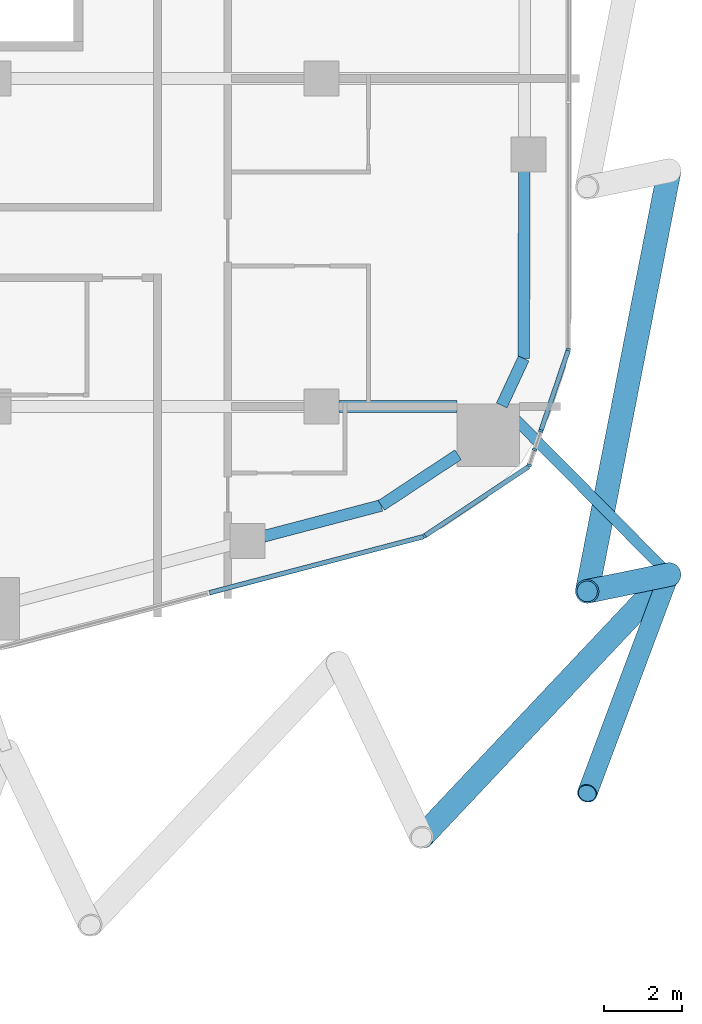
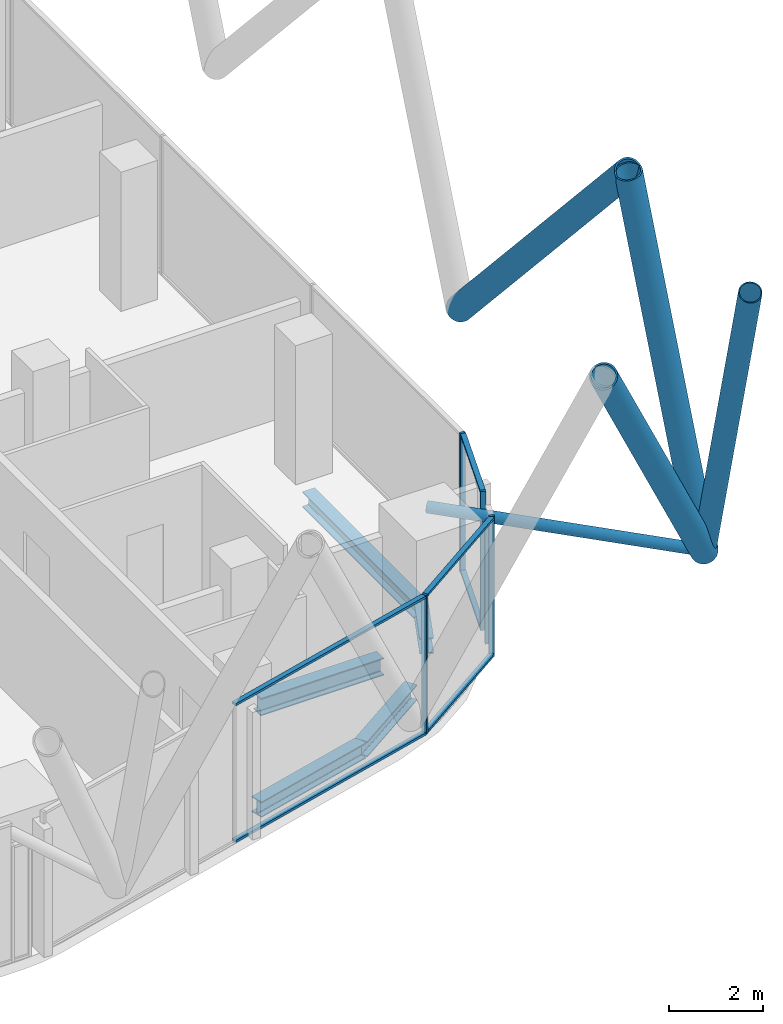
# One storey, part 7 of 34: 16 members, 5 beams, 6 elements without a shape of their own.
"""IFC4 building model written with IfcOpenShell, lengths in metres."""

from ifc_helpers import new_model, si_unit, direction, frame, origin, origin_2d, place, context, subcontext, project, spatial, rectangle, hollow_circle, i_section, extrude, material, layer, layer_set, material_profile, profile_set, type_object, element, aggregate, save


model = new_model("IFC4")

# Units and contexts
model_context = context("Model", 3, precision=1e-05, world=origin(), true_north=direction((0.0, 1.0)))
body_context = subcontext(model_context, "Body", "Model", "MODEL_VIEW")
ifc_project = project(units=[si_unit("LENGTHUNIT", "METRE"), si_unit("AREAUNIT", "SQUARE_METRE"), si_unit("VOLUMEUNIT", "CUBIC_METRE"), si_unit("PLANEANGLEUNIT", "RADIAN"), si_unit("MASSUNIT", "GRAM", prefix="KILO")], contexts=[model_context])

# Site, building, storey
site_placement = place(None, origin())
site = spatial("IfcSite", under=ifc_project, at=site_placement, CompositionType="ELEMENT")
building_placement = place(site_placement, origin())
building = spatial("IfcBuilding", under=site, at=building_placement, Name="Marenta Gate Hotel Tower", CompositionType="ELEMENT")
storey_placement = place(building_placement, frame((0.0, 0.0, 166.10009765625)))
storey = spatial("IfcBuildingStorey", under=building, at=storey_placement, Name="L39", CompositionType="ELEMENT", Elevation=166.10009765625)

# Members
ifc_material_1 = material(Name="Steel S355J2W", Category="steel")
ifc_material_profile_1 = material_profile(ifc_material_1, hollow_circle(Radius=0.25390625, WallThickness=0.02490234375, at=origin_2d()), Name="CHS 508x25")
ifc_profile_set_1 = profile_set([ifc_material_profile_1], Name="Steel S355J2W")
member_type_1 = type_object("IfcMemberType", Name="Diagrid corner post Z2 CHS 508x25", PredefinedType="POST", material=ifc_profile_set_1)
member_1_placement = place(storey_placement, frame((29.89990234375, -21.10009765625, 3.139892578125), z_axis=(-0.170090510133, -0.453614245022, 0.874816172162), x_axis=(0.936339242498, -0.351096600607, 0.0)))
element("IfcMember", 1, at=member_1_placement, inside=storey, type_object=member_type_1, Name="L39-DR-2", PredefinedType="POST", context=body_context, shape_type="SweptSolid", body=[
    extrude(hollow_circle(Radius=0.25390625, WallThickness=0.02490234375, at=origin_2d()), origin(), (0.0, 0.0, 1.0), 12.345458984375),
])
ifc_material_2 = material(Name="Steel S355J2W", Category="steel")
ifc_material_profile_2 = material_profile(ifc_material_2, hollow_circle(Radius=0.304931640625, WallThickness=0.0400390625, at=origin_2d()), Name="CHS 610x40")
ifc_profile_set_2 = profile_set([ifc_material_profile_2], Name="Steel S355J2W")
member_type_2 = type_object("IfcMemberType", Name="Diagrid diagonal T2 CHS 610x40", PredefinedType="BRACE", material=ifc_profile_set_2)
member_2_placement = place(storey_placement, frame((29.89990234375, -10.760009765625, 3.139892578125), z_axis=(-0.136387552473, -0.699523368187, 0.701473800573), x_axis=(0.981518224839, -0.191368686853, 0.0)))
element("IfcMember", 2, at=member_2_placement, inside=storey, type_object=member_type_2, Name="L39-DG-9", PredefinedType="BRACE", context=body_context, shape_type="SweptSolid", body=[
    extrude(hollow_circle(Radius=0.304931640625, WallThickness=0.0400390625, at=origin_2d()), origin(), (0.0, 0.0, 1.0), 15.396240234375),
])
member_3_placement = place(storey_placement, frame((29.89990234375, -21.10009765625, 3.139892578125), z_axis=(-0.19071044896, -0.03904675045, 0.980869448977), x_axis=(0.200582587895, -0.979676796415, 0.0)))
element("IfcMember", 3, at=member_3_placement, inside=storey, type_object=member_type_2, Name="L39-DG-10", PredefinedType="BRACE", context=body_context, shape_type="SweptSolid", body=[
    extrude(hollow_circle(Radius=0.304931640625, WallThickness=0.0400390625, at=origin_2d()), origin(), (0.0, 0.0, 1.0), 11.0107421875),
])
member_4_placement = place(storey_placement, frame((29.89990234375, -21.10009765625, 3.139892578125), z_axis=(-0.446015595876, -0.473100450691, 0.759767103652), x_axis=(0.727628205653, -0.685971715407, 0.0)))
element("IfcMember", 4, at=member_4_placement, inside=storey, type_object=member_type_2, Name="L39-DG-11", PredefinedType="BRACE", context=body_context, shape_type="SweptSolid", body=[
    extrude(hollow_circle(Radius=0.304931640625, WallThickness=0.0400390625, at=origin_2d()), origin(), (0.0, 0.0, 1.0), 14.21484375),
])

# Beams
ifc_material_3 = material(Name="Steel S355", Category="steel")
ifc_material_profile_3 = material_profile(ifc_material_3, i_section(OverallWidth=0.300048828125, OverallDepth=0.39990234375, WebThickness=0.013427734375, FlangeThickness=0.02392578125, FilletRadius=0.027099609375, at=origin_2d()), Name="HEB 400")
ifc_profile_set_3 = profile_set([ifc_material_profile_3], Name="Steel S355")
beam_type_1 = type_object("IfcBeamType", Name="Edge beam HEB 400", PredefinedType="SPANDREL", material=ifc_profile_set_3)
beam_1_placement = place(storey_placement, frame((26.191162109375, -10.761962890625, -0.460205078125), z_axis=(-0.003353298899, -0.999994377677, 0.0), x_axis=(0.999994377677, -0.003353298899, 0.0)))
element("IfcBeam", 5, at=beam_1_placement, inside=storey, type_object=beam_type_1, Name="L39-EB-27", PredefinedType="SPANDREL", context=body_context, shape_type="SweptSolid", body=[
    extrude(i_section(OverallWidth=0.300048828125, OverallDepth=0.39990234375, WebThickness=0.013427734375, FlangeThickness=0.02392578125, FilletRadius=0.027099609375, at=origin_2d()), origin(), (0.0, 0.0, 1.0), 4.80517578125),
])
beam_2_placement = place(storey_placement, frame((26.175048828125, -15.567138671875, -0.460205078125), z_axis=(-0.423207780269, -0.906032656541, 0.0), x_axis=(0.906032656541, -0.423207780269, 0.0)))
element("IfcBeam", 6, at=beam_2_placement, inside=storey, type_object=beam_type_1, Name="L39-EB-28", PredefinedType="SPANDREL", context=body_context, shape_type="SweptSolid", body=[
    extrude(i_section(OverallWidth=0.300048828125, OverallDepth=0.39990234375, WebThickness=0.013427734375, FlangeThickness=0.02392578125, FilletRadius=0.027099609375, at=origin_2d()), origin(), (0.0, 0.0, 1.0), 1.326904296875),
])
beam_3_placement = place(storey_placement, frame((24.496337890625, -18.0322265625, -0.460205078125), z_axis=(-0.834496060599, -0.551013906217, 0.0), x_axis=(0.551013906217, -0.834496060599, 0.0)))
element("IfcBeam", 7, at=beam_3_placement, inside=storey, type_object=beam_type_1, Name="L39-EB-29", PredefinedType="SPANDREL", context=body_context, shape_type="SweptSolid", body=[
    extrude(i_section(OverallWidth=0.300048828125, OverallDepth=0.39990234375, WebThickness=0.013427734375, FlangeThickness=0.02392578125, FilletRadius=0.027099609375, at=origin_2d()), origin(), (0.0, 0.0, 1.0), 2.357177734375),
])
beam_4_placement = place(storey_placement, frame((22.529296875, -19.3310546875, -0.460205078125), z_axis=(-0.967224706208, -0.25392197168, 0.0), x_axis=(0.25392197168, -0.967224706208, 0.0)))
element("IfcBeam", 8, at=beam_4_placement, inside=storey, type_object=beam_type_1, Name="L39-EB-30", PredefinedType="SPANDREL", context=body_context, shape_type="SweptSolid", body=[
    extrude(i_section(OverallWidth=0.300048828125, OverallDepth=0.39990234375, WebThickness=0.013427734375, FlangeThickness=0.02392578125, FilletRadius=0.027099609375, at=origin_2d()), origin(), (0.0, 0.0, 1.0), 3.11328125),
])

# Member
ifc_material_4 = material(Name="Steel S355J2W", Category="steel")
ifc_material_profile_4 = material_profile(ifc_material_4, hollow_circle(Radius=0.136474609375, WallThickness=0.012451171875, at=origin_2d()), Name="CHS 273x12.5")
ifc_profile_set_4 = profile_set([ifc_material_profile_4], Name="Steel S355J2W")
member_type_3 = type_object("IfcMemberType", Name="Floor tie CHS 273x12.5", PredefinedType="STRUT", material=ifc_profile_set_4)
member_5_placement = place(storey_placement, frame((29.89990234375, -21.10009765625, 3.139892578125), z_axis=(-0.703441732565, 0.710752930973, 0.0), x_axis=(-0.710752930973, -0.703441732565, 0.0)))
element("IfcMember", 9, at=member_5_placement, inside=storey, type_object=member_type_3, Name="L39-DR-8", PredefinedType="STRUT", context=body_context, shape_type="SweptSolid", body=[
    extrude(hollow_circle(Radius=0.136474609375, WallThickness=0.012451171875, at=origin_2d()), origin(), (0.0, 0.0, 1.0), 6.077392578125),
])

# Beam
ifc_material_5 = material(Name="Steel S355", Category="steel")
ifc_material_profile_5 = material_profile(ifc_material_5, i_section(OverallWidth=0.300048828125, OverallDepth=0.449951171875, WebThickness=0.013916015625, FlangeThickness=0.02587890625, FilletRadius=0.027099609375, at=origin_2d()), Name="HEB 450")
ifc_profile_set_5 = profile_set([ifc_material_profile_5], Name="Steel S355")
beam_type_2 = type_object("IfcBeamType", Name="Girder HEB 450", PredefinedType="BEAM", material=ifc_profile_set_5)
beam_5_placement = place(storey_placement, frame((21.449951171875, -16.800048828125, -0.485107421875), z_axis=(1.0, 0.0, 0.0), x_axis=(0.0, 1.0, 0.0)))
element("IfcBeam", 10, at=beam_5_placement, inside=storey, type_object=beam_type_2, Name="L39-GD-7", PredefinedType="BEAM", context=body_context, shape_type="SweptSolid", body=[
    extrude(i_section(OverallWidth=0.300048828125, OverallDepth=0.449951171875, WebThickness=0.013916015625, FlangeThickness=0.02587890625, FilletRadius=0.027099609375, at=origin_2d()), origin(), (0.0, 0.0, 1.0), 3.012939453125),
])

# Curtain wall, member
ifc_material_6 = material(Name="Tinted insulated glass in bronze anodised frame", Category="glass")
ifc_layer = layer(ifc_material_6, 0.1201171875)
ifc_layer_set = layer_set([ifc_layer], Name="Tinted insulated glass in bronze anodised frame")
curtain_wall_type = type_object("IfcCurtainWallType", Name="Tower unitised curtain wall CW1", PredefinedType="NOTDEFINED", material=ifc_layer_set)
curtain_wall_1_placement = place(storey_placement, origin())
curtain_wall_1 = element("IfcCurtainWall", 11, at=curtain_wall_1_placement, inside=storey, type_object=curtain_wall_type, Name="CW1 run G15", PredefinedType="NOTDEFINED")
ifc_material_7 = material(Name="Bronze anodised aluminium", Category="aluminium")
ifc_material_profile_6 = material_profile(ifc_material_7, rectangle(XDim=0.1201171875, YDim=0.06005859375, at=origin_2d()), Name="Mullion CW1 60x120 bronze anodised aluminium")
ifc_profile_set_6 = profile_set([ifc_material_profile_6], Name="Bronze anodised aluminium")
member_type_4 = type_object("IfcMemberType", Name="Mullion CW1 60x120 bronze anodised aluminium", PredefinedType="MULLION", material=ifc_profile_set_6)
member_6_placement = place(storey_placement, frame((23.632568359375, -20.113037109375, 0.0), z_axis=(0.0, 0.0, 1.0), x_axis=(-0.554016243423, 0.832505857051, 0.0)))
member_6 = element("IfcMember", 12, at=member_6_placement, type_object=member_type_4, Name="CW1 mullion 1", PredefinedType="MULLION", context=body_context, shape_type="SweptSolid", body=[
    extrude(rectangle(XDim=0.1201171875, YDim=0.06005859375, at=origin_2d()), origin(), (0.0, 0.0, 1.0), 3.599853515625),
])

curtain_wall_2_placement = place(storey_placement, origin())
curtain_wall_2 = element("IfcCurtainWall", 13, at=curtain_wall_2_placement, inside=storey, type_object=curtain_wall_type, Name="CW1 run G16", PredefinedType="NOTDEFINED")
member_7_placement = place(storey_placement, frame((26.314453125, -18.30615234375, 0.0), z_axis=(0.0, 0.0, 1.0), x_axis=(-0.946727185016, 0.322036701561, 0.0)))
member_7 = element("IfcMember", 14, at=member_7_placement, type_object=member_type_4, Name="CW1 mullion 1", PredefinedType="MULLION", context=body_context, shape_type="SweptSolid", body=[
    extrude(rectangle(XDim=0.1201171875, YDim=0.06005859375, at=origin_2d()), origin(), (0.0, 0.0, 1.0), 3.599853515625),
])
aggregate(curtain_wall_2, [member_7])

curtain_wall_3_placement = place(storey_placement, origin())
curtain_wall_3 = element("IfcCurtainWall", 15, at=curtain_wall_3_placement, inside=storey, type_object=curtain_wall_type, Name="CW1 run G17", PredefinedType="NOTDEFINED")
member_8_placement = place(storey_placement, frame((26.452392578125, -17.90087890625, 0.0), z_axis=(0.0, 0.0, 1.0), x_axis=(-0.946749866338, 0.321970015045, 0.0)))
member_8 = element("IfcMember", 16, at=member_8_placement, type_object=member_type_4, Name="CW1 mullion 1", PredefinedType="MULLION", context=body_context, shape_type="SweptSolid", body=[
    extrude(rectangle(XDim=0.1201171875, YDim=0.06005859375, at=origin_2d()), origin(), (0.0, 0.0, 1.0), 3.00048828125),
])
aggregate(curtain_wall_3, [member_8])

curtain_wall_4_placement = place(storey_placement, origin())
curtain_wall_4 = element("IfcCurtainWall", 17, at=curtain_wall_4_placement, inside=storey, type_object=curtain_wall_type, Name="CW1 run G18", PredefinedType="NOTDEFINED")
member_9_placement = place(storey_placement, frame((26.615478515625, -17.42138671875, 0.0), z_axis=(0.0, 0.0, 1.0), x_axis=(-0.946723672753, 0.322047026767, 0.0)))
member_9 = element("IfcMember", 18, at=member_9_placement, type_object=member_type_4, Name="CW1 mullion 1", PredefinedType="MULLION", context=body_context, shape_type="SweptSolid", body=[
    extrude(rectangle(XDim=0.1201171875, YDim=0.06005859375, at=origin_2d()), origin(), (0.0, 0.0, 1.0), 3.599853515625),
])

curtain_wall_5_placement = place(storey_placement, origin())
curtain_wall_5 = element("IfcCurtainWall", 19, at=curtain_wall_5_placement, inside=storey, type_object=curtain_wall_type, Name="CW1 run G19", PredefinedType="NOTDEFINED")
member_10_placement = place(storey_placement, frame((27.31396484375, -15.337890625, 0.0), z_axis=(0.0, 0.0, 1.0), x_axis=(-1.0, 0.0, 0.0)))
member_10 = element("IfcMember", 20, at=member_10_placement, type_object=member_type_4, Name="CW1 mullion 1", PredefinedType="MULLION", context=body_context, shape_type="SweptSolid", body=[
    extrude(rectangle(XDim=0.1201171875, YDim=0.06005859375, at=origin_2d()), origin(), (0.0, 0.0, 1.0), 3.599853515625),
])
aggregate(curtain_wall_5, [member_10])

# Curtain wall, members
curtain_wall_6_placement = place(storey_placement, origin())
curtain_wall_6 = element("IfcCurtainWall", 21, at=curtain_wall_6_placement, inside=storey, type_object=curtain_wall_type, Name="CW1 run G14", PredefinedType="NOTDEFINED")
ifc_material_8 = material(Name="Bronze anodised aluminium", Category="aluminium")
ifc_material_profile_7 = material_profile(ifc_material_8, rectangle(XDim=0.1201171875, YDim=0.06005859375, at=origin_2d()), Name="Transom CW1 60x120 bronze anodised aluminium")
ifc_profile_set_7 = profile_set([ifc_material_profile_7], Name="Bronze anodised aluminium")
member_type_5 = type_object("IfcMemberType", Name="Transom CW1 60x120 bronze anodised aluminium", PredefinedType="USERDEFINED", material=ifc_profile_set_7)
member_11_placement = place(storey_placement, frame((18.1318359375, -21.56396484375, 0.02978515625), z_axis=(0.967364420611, 0.253389182357, 0.0), x_axis=(-0.253389182357, 0.967364420611, 0.0)))
member_11 = element("IfcMember", 22, at=member_11_placement, type_object=member_type_5, Name="CW1 transom 2.1", ObjectType="TRANSOM", PredefinedType="USERDEFINED", context=body_context, shape_type="SweptSolid", body=[
    extrude(rectangle(XDim=0.1201171875, YDim=0.06005859375, at=origin_2d()), origin(), (0.0, 0.0, 1.0), 5.66064453125),
])
member_12_placement = place(storey_placement, frame((18.1318359375, -21.56396484375, 3.56982421875), z_axis=(0.967364420611, 0.253389182357, 0.0), x_axis=(-0.253389182357, 0.967364420611, 0.0)))
member_12 = element("IfcMember", 23, at=member_12_placement, type_object=member_type_5, Name="CW1 transom 2.2", ObjectType="TRANSOM", PredefinedType="USERDEFINED", context=body_context, shape_type="SweptSolid", body=[
    extrude(rectangle(XDim=0.1201171875, YDim=0.06005859375, at=origin_2d()), origin(), (0.0, 0.0, 1.0), 5.66064453125),
])
aggregate(curtain_wall_6, [member_11, member_12])

# Member
member_13_placement = place(storey_placement, frame((23.657470703125, -20.096435546875, 0.02978515625), z_axis=(0.832522439521, 0.553991324565, 0.0), x_axis=(-0.553991324565, 0.832522439521, 0.0)))
member_13 = element("IfcMember", 24, at=member_13_placement, type_object=member_type_5, Name="CW1 transom 1.1", ObjectType="TRANSOM", PredefinedType="USERDEFINED", context=body_context, shape_type="SweptSolid", body=[
    extrude(rectangle(XDim=0.1201171875, YDim=0.06005859375, at=origin_2d()), origin(), (0.0, 0.0, 1.0), 3.179931640625),
])

member_14_placement = place(storey_placement, frame((23.657470703125, -20.096435546875, 3.56982421875), z_axis=(0.832522439521, 0.553991324565, 0.0), x_axis=(-0.553991324565, 0.832522439521, 0.0)))
member_14 = element("IfcMember", 25, at=member_14_placement, type_object=member_type_5, Name="CW1 transom 1.2", ObjectType="TRANSOM", PredefinedType="USERDEFINED", context=body_context, shape_type="SweptSolid", body=[
    extrude(rectangle(XDim=0.1201171875, YDim=0.06005859375, at=origin_2d()), origin(), (0.0, 0.0, 1.0), 3.179931640625),
])

aggregate(curtain_wall_1, [member_6, member_13, member_14])

member_15_placement = place(storey_placement, frame((26.625244140625, -17.39306640625, 0.02978515625), z_axis=(0.321974347932, 0.946748392802, 0.0), x_axis=(-0.946748392802, 0.321974347932, 0.0)))
member_15 = element("IfcMember", 26, at=member_15_placement, type_object=member_type_5, Name="CW1 transom 1.1", ObjectType="TRANSOM", PredefinedType="USERDEFINED", context=body_context, shape_type="SweptSolid", body=[
    extrude(rectangle(XDim=0.1201171875, YDim=0.06005859375, at=origin_2d()), origin(), (0.0, 0.0, 1.0), 2.13916015625),
])

member_16_placement = place(storey_placement, frame((26.625244140625, -17.39306640625, 3.56982421875), z_axis=(0.321974347932, 0.946748392802, 0.0), x_axis=(-0.946748392802, 0.321974347932, 0.0)))
member_16 = element("IfcMember", 27, at=member_16_placement, type_object=member_type_5, Name="CW1 transom 1.2", ObjectType="TRANSOM", PredefinedType="USERDEFINED", context=body_context, shape_type="SweptSolid", body=[
    extrude(rectangle(XDim=0.1201171875, YDim=0.06005859375, at=origin_2d()), origin(), (0.0, 0.0, 1.0), 2.13916015625),
])

aggregate(curtain_wall_4, [member_9, member_15, member_16])

save(model, "model.ifc")
